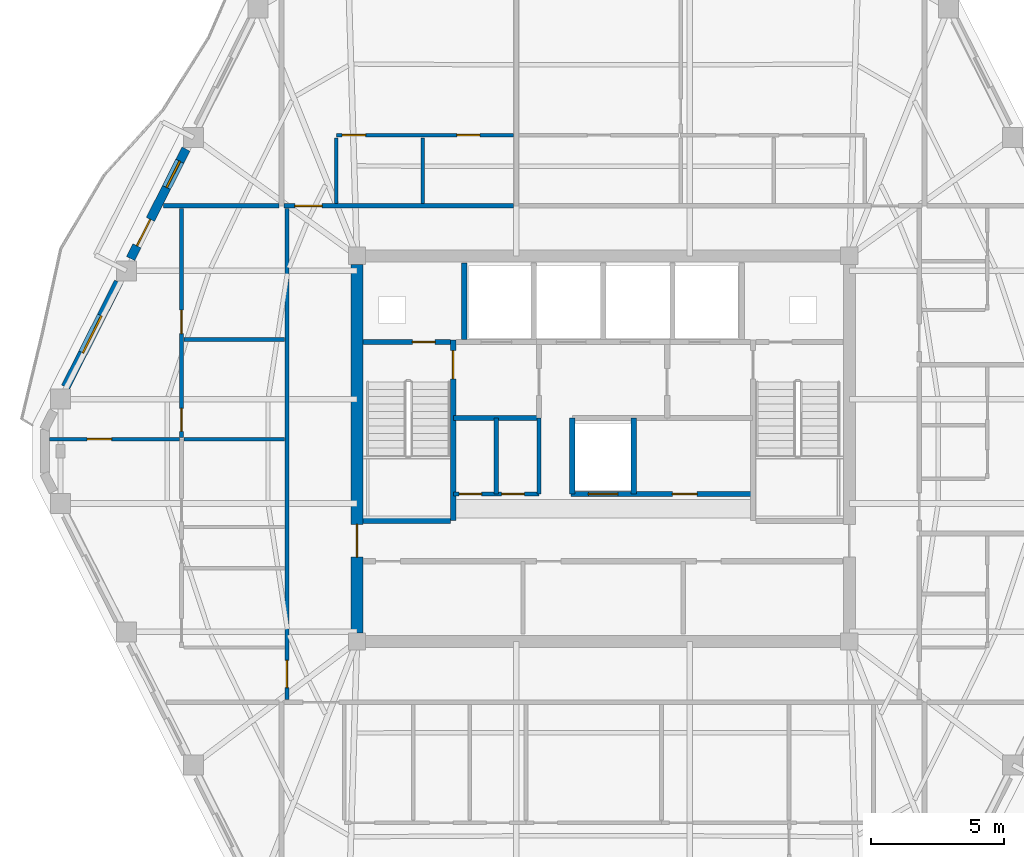
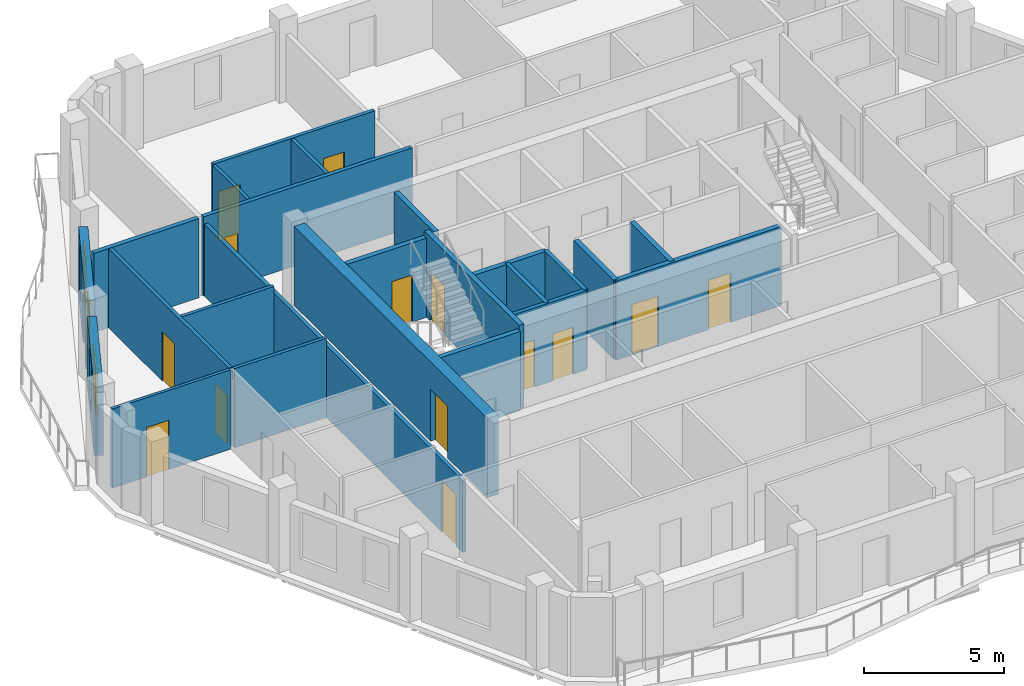
# One storey, part 5 of 11: 24 walls, 15 doors, 2 windows, 17 openings.
"""IFC4 building model written with IfcOpenShell, lengths in metres."""

from ifc_helpers import new_model, si_unit, direction, frame, frame_2d, origin, place, context, subcontext, project, spatial, rectangle, extrude, material, layer, layer_set, type_object, element, fill, save


model = new_model("IFC4")

# Units and contexts
model_context = context("Model", 3, precision=1e-05, world=origin(), true_north=direction((0.0, 1.0)))
body_context = subcontext(model_context, "Body", "Model", "MODEL_VIEW")
ifc_project = project(units=[si_unit("LENGTHUNIT", "METRE"), si_unit("AREAUNIT", "SQUARE_METRE"), si_unit("VOLUMEUNIT", "CUBIC_METRE"), si_unit("PLANEANGLEUNIT", "RADIAN"), si_unit("MASSUNIT", "GRAM", prefix="KILO")], contexts=[model_context])

# Site, building, storey
site_placement = place(None, origin())
site = spatial("IfcSite", under=ifc_project, at=site_placement, CompositionType="ELEMENT")
building_placement = place(site_placement, origin())
building = spatial("IfcBuilding", under=site, at=building_placement, Name="Cinnabar Lancet Tower", CompositionType="ELEMENT")
storey_placement = place(building_placement, frame((0.0, 0.0, 252.550048828125)))
storey = spatial("IfcBuildingStorey", under=building, at=storey_placement, Name="L67", CompositionType="ELEMENT", Elevation=252.550048828125)

# Wall, openings, doors
ifc_material_1 = material(Name="Acoustic twin-stud gypsum partition", Category="gypsum")
ifc_layer_1 = layer(ifc_material_1, 0.159912109375)
ifc_layer_set_1 = layer_set([ifc_layer_1], Name="Acoustic twin-stud gypsum partition")
wall_type_1 = type_object("IfcWallType", Name="ARC-WL-CORR-160", PredefinedType="PARTITIONING", material=ifc_layer_set_1)
wall_1_placement = place(storey_placement, frame((26.800048828125, 24.199951171875, 0.0), z_axis=(0.0, 0.0, 1.0), x_axis=(1.0, 0.0, 0.0)))
wall_1 = element("IfcWall", 1, at=wall_1_placement, inside=storey, type_object=wall_type_1, Name="CW-REC5S-L67", PredefinedType="PARTITIONING", context=body_context, shape_type="SweptSolid", body=[
    extrude(rectangle(XDim=3.199951171875, YDim=0.159912109375, at=frame_2d((1.60009765625, 0.0))), origin(), (0.0, 0.0, 1.0), 3.449951171875),
])
opening_1_placement = place(wall_1_placement, frame((0.199951171875, 0.0, 0.0)))
opening_1 = element("IfcOpeningElement", 2, at=opening_1_placement, cuts=wall_1, Name="Opening PD-02", PredefinedType="OPENING", context=body_context, shape_type="SweptSolid", body=[
    extrude(rectangle(XDim=0.85009765625, YDim=2.050048828125, at=frame_2d((0.425048828125, 1.02490234375))), frame((0.0, 0.08984375, 0.0), z_axis=(0.0, -1.0, 0.0), x_axis=(1.0, 0.0, 0.0)), (0.0, 0.0, 1.0), 0.179931640625),
])
opening_2_placement = place(wall_1_placement, frame((1.800048828125, 0.0, 0.0)))
opening_2 = element("IfcOpeningElement", 3, at=opening_2_placement, cuts=wall_1, Name="Opening PD-02", PredefinedType="OPENING", context=body_context, shape_type="SweptSolid", body=[
    extrude(rectangle(XDim=0.85009765625, YDim=2.050048828125, at=frame_2d((0.425048828125, 1.02490234375))), frame((0.0, 0.08984375, 0.0), z_axis=(0.0, -1.0, 0.0), x_axis=(1.0, 0.0, 0.0)), (0.0, 0.0, 1.0), 0.179931640625),
])
ifc_material_2 = material(Name="Fire-rated steel riser access door", Category="steel")
door_type_1 = type_object("IfcDoorType", Name="ARC-DR-RISER", OperationType="NOTDEFINED", PredefinedType="DOOR", material=ifc_material_2)
door_1_placement = place(opening_1_placement, origin())
door_1 = element("IfcDoor", 4, at=door_1_placement, inside=storey, type_object=door_type_1, Name="DR-L67-REC5A", OperationType="SINGLE_SWING_LEFT", OverallHeight=2.050048828125, OverallWidth=0.85009765625, PredefinedType="DOOR", context=body_context, shape_type="SweptSolid", body=[
    extrude(rectangle(XDim=0.85009765625, YDim=2.050048828125, at=frame_2d((0.425048828125, 1.02490234375))), frame((0.0, 0.02490234375, 0.0), z_axis=(0.0, -1.0, 0.0), x_axis=(1.0, 0.0, 0.0)), (0.0, 0.0, 1.0), 0.050048828125),
])
fill(opening_1, door_1)
door_2_placement = place(opening_2_placement, origin())
door_2 = element("IfcDoor", 5, at=door_2_placement, inside=storey, type_object=door_type_1, Name="DR-L67-REC5B", OperationType="SINGLE_SWING_RIGHT", OverallHeight=2.050048828125, OverallWidth=0.85009765625, PredefinedType="DOOR", context=body_context, shape_type="SweptSolid", body=[
    extrude(rectangle(XDim=0.85009765625, YDim=2.050048828125, at=frame_2d((0.425048828125, 1.02490234375))), frame((0.0, 0.02490234375, 0.0), z_axis=(0.0, -1.0, 0.0), x_axis=(1.0, 0.0, 0.0)), (0.0, 0.0, 1.0), 0.050048828125),
])
fill(opening_2, door_2)

# Walls
for number, where, z_axis, x_axis, name in (
    (6, (30.0, 24.199951171875, 0.0), (0.0, 0.0, 1.0), (0.0, 1.0, 0.0), "CW-REC5E-L67"),
    (7, (28.39990234375, 24.199951171875, 0.0), (0.0, 0.0, 1.0), (0.0, 1.0, 0.0), "CW-REC5D-L67"),
):
    element("IfcWall", number, at=place(storey_placement, frame(where, z_axis=z_axis, x_axis=x_axis)), inside=storey, type_object=wall_type_1, Name=name, PredefinedType="PARTITIONING", context=body_context, shape_type="SweptSolid", body=[
        extrude(rectangle(XDim=2.85009765625, YDim=0.159912109375, at=frame_2d((1.425048828125, 0.0))), origin(), (0.0, 0.0, 1.0), 3.449951171875),
    ])

# Wall, opening, door
wall_2_placement = place(storey_placement, frame((20.445068359375, 35.0, 0.0), z_axis=(0.0, 0.0, 1.0), x_axis=(1.0, 0.0, 0.0)))
wall_2 = element("IfcWall", 8, at=wall_2_placement, inside=storey, type_object=wall_type_1, Name="L67 Unit N01 Corridor Wall", PredefinedType="PARTITIONING", context=body_context, shape_type="SweptSolid", body=[
    extrude(rectangle(XDim=8.60595703125, YDim=0.159912109375, at=frame_2d((4.302978515625, 0.0))), origin(), (0.0, 0.0, 1.0), 3.449951171875),
])
opening_3_placement = place(wall_2_placement, frame((0.405029296875, 0.0, 0.0)))
opening_3 = element("IfcOpeningElement", 9, at=opening_3_placement, cuts=wall_2, Name="Opening UD-01", PredefinedType="OPENING", context=body_context, shape_type="SweptSolid", body=[
    extrude(rectangle(XDim=1.02001953125, YDim=2.25, at=frame_2d((0.510009765625, 1.125))), frame((0.0, 0.08984375, 0.0), z_axis=(0.0, -1.0, 0.0), x_axis=(1.0, 0.0, 0.0)), (0.0, 0.0, 1.0), 0.179931640625),
])
ifc_material_3 = material(Name="Solid timber fire-rated apartment entrance door", Category="wood")
door_type_2 = type_object("IfcDoorType", Name="ARC-DR-UNIT", OperationType="NOTDEFINED", PredefinedType="DOOR", material=ifc_material_3)
door_3_placement = place(opening_3_placement, origin())
door_3 = element("IfcDoor", 10, at=door_3_placement, inside=storey, type_object=door_type_2, Name="DR-L67-N01-ENT", OperationType="SINGLE_SWING_RIGHT", OverallHeight=2.25, OverallWidth=1.02001953125, PredefinedType="DOOR", context=body_context, shape_type="SweptSolid", body=[
    extrude(rectangle(XDim=1.02001953125, YDim=2.25, at=frame_2d((0.510009765625, 1.125))), frame((0.0, 0.02490234375, 0.0), z_axis=(0.0, -1.0, 0.0), x_axis=(1.0, 0.0, 0.0)), (0.0, 0.0, 1.0), 0.050048828125),
])
fill(opening_3, door_3)

wall_3_placement = place(storey_placement, frame((20.550048828125, 16.4951171875, 0.0), z_axis=(0.0, 0.0, 1.0), x_axis=(0.0, 1.0, 0.0)))
wall_3 = element("IfcWall", 11, at=wall_3_placement, inside=storey, type_object=wall_type_1, Name="UW-L67-W01-COR", PredefinedType="PARTITIONING", context=body_context, shape_type="SweptSolid", body=[
    extrude(rectangle(XDim=18.409912109375, YDim=0.159912109375, at=frame_2d((9.205078125, 0.0))), origin(), (0.0, 0.0, 1.0), 3.136962890625),
])
opening_4_placement = place(wall_3_placement, frame((0.449951171875, 0.0, 0.0)))
opening_4 = element("IfcOpeningElement", 12, at=opening_4_placement, cuts=wall_3, Name="Opening UD-01", PredefinedType="OPENING", context=body_context, shape_type="SweptSolid", body=[
    extrude(rectangle(XDim=1.02001953125, YDim=2.25, at=frame_2d((0.510009765625, 1.125))), frame((0.0, 0.08984375, 0.0), z_axis=(0.0, -1.0, 0.0), x_axis=(1.0, 0.0, 0.0)), (0.0, 0.0, 1.0), 0.179931640625),
])
door_4_placement = place(opening_4_placement, origin())
door_4 = element("IfcDoor", 13, at=door_4_placement, inside=storey, type_object=door_type_2, Name="DR-L67-W01-ENT", OperationType="SINGLE_SWING_LEFT", OverallHeight=2.25, OverallWidth=1.02001953125, PredefinedType="DOOR", context=body_context, shape_type="SweptSolid", body=[
    extrude(rectangle(XDim=1.02001953125, YDim=2.25, at=frame_2d((0.510009765625, 1.125))), frame((0.0, 0.02490234375, 0.0), z_axis=(0.0, -1.0, 0.0), x_axis=(1.0, 0.0, 0.0)), (0.0, 0.0, 1.0), 0.050048828125),
])
fill(opening_4, door_4)

# Walls
ifc_material_4 = material(Name="Fire-rated twin-frame acoustic drywall", Category="gypsum")
ifc_layer_2 = layer(ifc_material_4, 0.179931640625)
ifc_layer_set_2 = layer_set([ifc_layer_2], Name="Fire-rated twin-frame acoustic drywall")
wall_type_2 = type_object("IfcWallType", Name="ARC-WL-PARTY-180", PredefinedType="PARTITIONING", material=ifc_layer_set_2)
wall_4_placement = place(storey_placement, frame((15.93310546875, 35.0, 0.0), z_axis=(0.0, 0.0, 1.0), x_axis=(1.0, 0.0, 0.0)))
element("IfcWall", 14, at=wall_4_placement, inside=storey, type_object=wall_type_2, Name="PW-L67-WNB", PredefinedType="PARTITIONING", context=body_context, shape_type="SweptSolid", body=[
    extrude(rectangle(XDim=4.32177734375, YDim=0.179931640625, at=frame_2d((2.160888671875, 0.0))), origin(), (0.0, 0.0, 1.0), 3.449951171875),
])
ifc_material_5 = material(Name="Autoclaved aerated concrete blockwork", Category="masonry")
ifc_layer_3 = layer(ifc_material_5, 0.199951171875)
ifc_layer_set_3 = layer_set([ifc_layer_3], Name="Autoclaved aerated concrete blockwork")
wall_type_3 = type_object("IfcWallType", Name="ARC-WL-SHAFT-200", PredefinedType="PLUMBINGWALL", material=ifc_layer_set_3)
wall_5_placement = place(storey_placement, frame((23.405029296875, 23.199951171875, 0.0), z_axis=(0.0, 0.0, 1.0), x_axis=(1.0, 0.0, 0.0)))
element("IfcWall", 15, at=wall_5_placement, inside=storey, type_object=wall_type_3, Name="CW-ST1S-L67", PredefinedType="PLUMBINGWALL", context=body_context, shape_type="SweptSolid", body=[
    extrude(rectangle(XDim=3.27001953125, YDim=0.199951171875, at=frame_2d((1.635009765625, 0.0))), origin(), (0.0, 0.0, 1.0), 3.449951171875),
])

# Wall, opening, door
wall_6_placement = place(storey_placement, frame((23.405029296875, 29.89990234375, 0.0), z_axis=(0.0, 0.0, 1.0), x_axis=(1.0, 0.0, 0.0)))
wall_6 = element("IfcWall", 16, at=wall_6_placement, inside=storey, type_object=wall_type_3, Name="CW-NSH-W-L67", PredefinedType="PLUMBINGWALL", context=body_context, shape_type="SweptSolid", body=[
    extrude(rectangle(XDim=3.27001953125, YDim=0.199951171875, at=frame_2d((1.635009765625, 0.0))), origin(), (0.0, 0.0, 1.0), 3.449951171875),
])
opening_5_placement = place(wall_6_placement, frame((1.85009765625, 0.0, 0.0)))
opening_5 = element("IfcOpeningElement", 17, at=opening_5_placement, cuts=wall_6, Name="Opening PD-02", PredefinedType="OPENING", context=body_context, shape_type="SweptSolid", body=[
    extrude(rectangle(XDim=0.85009765625, YDim=2.050048828125, at=frame_2d((0.425048828125, 1.02490234375))), frame((0.0, 0.10986328125, 0.0), z_axis=(0.0, -1.0, 0.0), x_axis=(1.0, 0.0, 0.0)), (0.0, 0.0, 1.0), 0.219970703125),
])
door_5_placement = place(opening_5_placement, origin())
door_5 = element("IfcDoor", 18, at=door_5_placement, inside=storey, type_object=door_type_1, Name="L67 West Riser Access Door", OperationType="SINGLE_SWING_LEFT", OverallHeight=2.050048828125, OverallWidth=0.85009765625, PredefinedType="DOOR", context=body_context, shape_type="SweptSolid", body=[
    extrude(rectangle(XDim=0.85009765625, YDim=2.050048828125, at=frame_2d((0.425048828125, 1.02490234375))), frame((0.0, 0.02490234375, 0.0), z_axis=(0.0, -1.0, 0.0), x_axis=(1.0, 0.0, 0.0)), (0.0, 0.0, 1.0), 0.050048828125),
])
fill(opening_5, door_5)

# Walls
wall_7_placement = place(storey_placement, frame((27.199951171875, 30.0, 0.0), z_axis=(0.0, 0.0, 1.0), x_axis=(0.0, 1.0, 0.0)))
element("IfcWall", 19, at=wall_7_placement, inside=storey, type_object=wall_type_3, Name="CW-NSH-D1-L67", PredefinedType="PLUMBINGWALL", context=body_context, shape_type="SweptSolid", body=[
    extrude(rectangle(XDim=2.85009765625, YDim=0.199951171875, at=frame_2d((1.425048828125, 0.0))), origin(), (0.0, 0.0, 1.0), 3.449951171875),
])
wall_8_placement = place(storey_placement, frame((26.800048828125, 27.050048828125, 0.0), z_axis=(0.0, 0.0, 1.0), x_axis=(1.0, 0.0, 0.0)))
element("IfcWall", 20, at=wall_8_placement, inside=storey, type_object=wall_type_3, Name="CW-FF1S-L67", PredefinedType="PLUMBINGWALL", context=body_context, shape_type="SweptSolid", body=[
    extrude(rectangle(XDim=3.199951171875, YDim=0.199951171875, at=frame_2d((1.60009765625, 0.0))), origin(), (0.0, 0.0, 1.0), 3.449951171875),
])

# Wall, openings, doors
wall_9_placement = place(storey_placement, frame((31.199951171875, 24.199951171875, 0.0), z_axis=(0.0, 0.0, 1.0), x_axis=(1.0, 0.0, 0.0)))
wall_9 = element("IfcWall", 21, at=wall_9_placement, inside=storey, type_object=wall_type_3, Name="CW-PL96S-L67", PredefinedType="PLUMBINGWALL", context=body_context, shape_type="SweptSolid", body=[
    extrude(rectangle(XDim=6.800048828125, YDim=0.199951171875, at=frame_2d((3.39990234375, 0.0))), origin(), (0.0, 0.0, 1.0), 3.449951171875),
])
opening_6_placement = place(wall_9_placement, frame((0.64990234375, 0.0, 0.0)))
opening_6 = element("IfcOpeningElement", 22, at=opening_6_placement, cuts=wall_9, Name="Opening LD-01", PredefinedType="OPENING", context=body_context, shape_type="SweptSolid", body=[
    extrude(rectangle(XDim=1.10009765625, YDim=2.199951171875, at=frame_2d((0.550048828125, 1.10009765625))), frame((0.0, 0.10986328125, 0.0), z_axis=(0.0, -1.0, 0.0), x_axis=(1.0, 0.0, 0.0)), (0.0, 0.0, 1.0), 0.219970703125),
])
opening_7_placement = place(wall_9_placement, frame((3.800048828125, 0.0, 0.0)))
opening_7 = element("IfcOpeningElement", 23, at=opening_7_placement, cuts=wall_9, Name="Opening RD-01", PredefinedType="OPENING", context=body_context, shape_type="SweptSolid", body=[
    extrude(rectangle(XDim=0.919921875, YDim=2.14990234375, at=frame_2d((0.4599609375, 1.074951171875))), frame((0.0, 0.10986328125, 0.0), z_axis=(0.0, -1.0, 0.0), x_axis=(1.0, 0.0, 0.0)), (0.0, 0.0, 1.0), 0.219970703125),
])
ifc_material_6 = material(Name="Brushed stainless steel sliding lift door", Category="steel")
door_type_3 = type_object("IfcDoorType", Name="ARC-DR-LD-PASS", OperationType="NOTDEFINED", PredefinedType="DOOR", material=ifc_material_6)
door_6_placement = place(opening_6_placement, origin())
door_6 = element("IfcDoor", 24, at=door_6_placement, inside=storey, type_object=door_type_3, Name="L67 Lift PL-9 Landing Door", OperationType="DOUBLE_DOOR_SLIDING", OverallHeight=2.199951171875, OverallWidth=1.10009765625, PredefinedType="DOOR", context=body_context, shape_type="SweptSolid", body=[
    extrude(rectangle(XDim=1.10009765625, YDim=2.199951171875, at=frame_2d((0.550048828125, 1.10009765625))), frame((0.0, 0.02490234375, 0.0), z_axis=(0.0, -1.0, 0.0), x_axis=(1.0, 0.0, 0.0)), (0.0, 0.0, 1.0), 0.050048828125),
])
fill(opening_6, door_6)
ifc_material_7 = material(Name="Engineered timber bedroom door", Category="wood")
door_type_4 = type_object("IfcDoorType", Name="ARC-DR-ROOM", OperationType="NOTDEFINED", PredefinedType="DOOR", material=ifc_material_7)
door_7_placement = place(opening_7_placement, origin())
door_7 = element("IfcDoor", 25, at=door_7_placement, inside=storey, type_object=door_type_4, Name="DR-L67-REC6", OperationType="SINGLE_SWING_RIGHT", OverallHeight=2.14990234375, OverallWidth=0.919921875, PredefinedType="DOOR", context=body_context, shape_type="SweptSolid", body=[
    extrude(rectangle(XDim=0.919921875, YDim=2.14990234375, at=frame_2d((0.4599609375, 1.074951171875))), frame((0.0, 0.02490234375, 0.0), z_axis=(0.0, -1.0, 0.0), x_axis=(1.0, 0.0, 0.0)), (0.0, 0.0, 1.0), 0.050048828125),
])
fill(opening_7, door_7)

# Walls
for number, where, z_axis, x_axis, name in (
    (26, (31.25, 24.199951171875, 0.0), (0.0, 0.0, 1.0), (0.0, 1.0, 0.0), "CW-PL9W-L67"),
    (27, (33.550048828125, 24.199951171875, 0.0), (0.0, 0.0, 1.0), (0.0, 1.0, 0.0), "CW-PL9E-L67"),
):
    element("IfcWall", number, at=place(storey_placement, frame(where, z_axis=z_axis, x_axis=x_axis)), inside=storey, type_object=wall_type_3, Name=name, PredefinedType="PLUMBINGWALL", context=body_context, shape_type="SweptSolid", body=[
        extrude(rectangle(XDim=2.85009765625, YDim=0.199951171875, at=frame_2d((1.425048828125, 0.0))), origin(), (0.0, 0.0, 1.0), 3.449951171875),
    ])
ifc_material_8 = material(Name="Gypsum plasterboard stud partition", Category="gypsum")
ifc_layer_4 = layer(ifc_material_8, 0.125)
ifc_layer_set_4 = layer_set([ifc_layer_4], Name="Gypsum plasterboard stud partition")
wall_type_4 = type_object("IfcWallType", Name="ARC-WL-UNIT-125", PredefinedType="PARTITIONING", material=ifc_layer_set_4)
wall_10_placement = place(storey_placement, frame((22.39990234375, 35.0849609375, 0.0), z_axis=(0.0, 0.0, 1.0), x_axis=(0.0, 1.0, 0.0)))
element("IfcWall", 28, at=wall_10_placement, inside=storey, type_object=wall_type_4, Name="UW-L67-N01-FOYE", PredefinedType="PARTITIONING", context=body_context, shape_type="SweptSolid", body=[
    extrude(rectangle(XDim=2.4599609375, YDim=0.125, at=frame_2d((1.22998046875, 0.0))), origin(), (0.0, 0.0, 1.0), 3.449951171875),
])

# Wall, opening, door
wall_11_placement = place(storey_placement, frame((11.659912109375, 26.258056640625, 0.0), z_axis=(0.0, 0.0, 1.0), x_axis=(1.0, 0.0, 0.0)))
wall_11 = element("IfcWall", 29, at=wall_11_placement, inside=storey, type_object=wall_type_4, Name="UW-L67-W01-MBN", PredefinedType="PARTITIONING", context=body_context, shape_type="SweptSolid", body=[
    extrude(rectangle(XDim=4.864990234375, YDim=0.125, at=frame_2d((2.4326171875, 0.0))), origin(), (0.0, 0.0, 1.0), 3.449951171875),
])
opening_8_placement = place(wall_11_placement, frame((1.39990234375, 0.0, 0.0)))
opening_8 = element("IfcOpeningElement", 30, at=opening_8_placement, cuts=wall_11, Name="Opening RD-01", PredefinedType="OPENING", context=body_context, shape_type="SweptSolid", body=[
    extrude(rectangle(XDim=0.919921875, YDim=2.14990234375, at=frame_2d((0.4599609375, 1.074951171875))), frame((0.0, 0.072509765625, 0.0), z_axis=(0.0, -1.0, 0.0), x_axis=(1.0, 0.0, 0.0)), (0.0, 0.0, 1.0), 0.14501953125),
])
door_8_placement = place(opening_8_placement, origin())
door_8 = element("IfcDoor", 31, at=door_8_placement, inside=storey, type_object=door_type_4, Name="DR-L67-W01-MBD", OperationType="SINGLE_SWING_LEFT", OverallHeight=2.14990234375, OverallWidth=0.919921875, PredefinedType="DOOR", context=body_context, shape_type="SweptSolid", body=[
    extrude(rectangle(XDim=0.919921875, YDim=2.14990234375, at=frame_2d((0.4599609375, 1.074951171875))), frame((0.0, 0.02490234375, 0.0), z_axis=(0.0, -1.0, 0.0), x_axis=(1.0, 0.0, 0.0)), (0.0, 0.0, 1.0), 0.050048828125),
])
fill(opening_8, door_8)

# Wall, openings, doors
ifc_material_9 = material(Name="Moisture-resistant cement-board plumbing wall", Category="masonry")
ifc_layer_5 = layer(ifc_material_9, 0.139892578125)
ifc_layer_set_5 = layer_set([ifc_layer_5], Name="Moisture-resistant cement-board plumbing wall")
wall_type_5 = type_object("IfcWallType", Name="ARC-WL-WET-140", PredefinedType="PLUMBINGWALL", material=ifc_layer_set_5)
wall_12_placement = place(storey_placement, frame((22.39990234375, 37.64990234375, 0.0), z_axis=(0.0, 0.0, 1.0), x_axis=(1.0, 0.0, 0.0)))
wall_12 = element("IfcWall", 32, at=wall_12_placement, inside=storey, type_object=wall_type_5, Name="UW-L67-N01-SPL", PredefinedType="PLUMBINGWALL", context=body_context, shape_type="SweptSolid", body=[
    extrude(rectangle(XDim=6.651123046875, YDim=0.139892578125, at=frame_2d((3.32568359375, 0.0))), origin(), (0.0, 0.0, 1.0), 3.449951171875),
])
opening_9_placement = place(wall_12_placement, frame((4.52001953125, 0.0, 0.0)))
opening_9 = element("IfcOpeningElement", 33, at=opening_9_placement, cuts=wall_12, Name="Opening BD-01", PredefinedType="OPENING", context=body_context, shape_type="SweptSolid", body=[
    extrude(rectangle(XDim=0.860107421875, YDim=2.10009765625, at=frame_2d((0.43017578125, 1.050048828125))), frame((0.0, 0.079833984375, 0.0), z_axis=(0.0, -1.0, 0.0), x_axis=(1.0, 0.0, 0.0)), (0.0, 0.0, 1.0), 0.159912109375),
])
opening_10_placement = place(wall_12_placement, frame((0.219970703125, 0.0, 0.0)))
opening_10 = element("IfcOpeningElement", 34, at=opening_10_placement, cuts=wall_12, Name="Opening RD-02", PredefinedType="OPENING", context=body_context, shape_type="SweptSolid", body=[
    extrude(rectangle(XDim=0.8798828125, YDim=2.14990234375, at=frame_2d((0.43994140625, 1.074951171875))), frame((0.0, 0.079833984375, 0.0), z_axis=(0.0, -1.0, 0.0), x_axis=(1.0, 0.0, 0.0)), (0.0, 0.0, 1.0), 0.159912109375),
])
ifc_material_10 = material(Name="Moisture-resistant timber bathroom door", Category="wood")
door_type_5 = type_object("IfcDoorType", Name="ARC-DR-BATH", OperationType="NOTDEFINED", PredefinedType="DOOR", material=ifc_material_10)
door_9_placement = place(opening_9_placement, origin())
door_9 = element("IfcDoor", 35, at=door_9_placement, inside=storey, type_object=door_type_5, Name="DR-L67-N01-BTH", OperationType="SINGLE_SWING_RIGHT", OverallHeight=2.10009765625, OverallWidth=0.860107421875, PredefinedType="DOOR", context=body_context, shape_type="SweptSolid", body=[
    extrude(rectangle(XDim=0.860107421875, YDim=2.10009765625, at=frame_2d((0.43017578125, 1.050048828125))), frame((0.0, 0.02490234375, 0.0), z_axis=(0.0, -1.0, 0.0), x_axis=(1.0, 0.0, 0.0)), (0.0, 0.0, 1.0), 0.050048828125),
])
fill(opening_9, door_9)
ifc_material_11 = material(Name="Engineered timber study door", Category="wood")
door_type_6 = type_object("IfcDoorType", Name="ARC-DR-STUDY", OperationType="NOTDEFINED", PredefinedType="DOOR", material=ifc_material_11)
door_10_placement = place(opening_10_placement, origin())
door_10 = element("IfcDoor", 36, at=door_10_placement, inside=storey, type_object=door_type_6, Name="DR-L67-N01-KIT", OperationType="SINGLE_SWING_LEFT", OverallHeight=2.14990234375, OverallWidth=0.8798828125, PredefinedType="DOOR", context=body_context, shape_type="SweptSolid", body=[
    extrude(rectangle(XDim=0.8798828125, YDim=2.14990234375, at=frame_2d((0.43994140625, 1.074951171875))), frame((0.0, 0.02490234375, 0.0), z_axis=(0.0, -1.0, 0.0), x_axis=(1.0, 0.0, 0.0)), (0.0, 0.0, 1.0), 0.050048828125),
])
fill(opening_10, door_10)

# Wall
wall_13_placement = place(storey_placement, frame((25.637939453125, 35.0849609375, 0.0), z_axis=(0.0, 0.0, 1.0), x_axis=(0.0, 1.0, 0.0)))
element("IfcWall", 37, at=wall_13_placement, inside=storey, type_object=wall_type_5, Name="UW-L67-N01-KDV", PredefinedType="PLUMBINGWALL", context=body_context, shape_type="SweptSolid", body=[
    extrude(rectangle(XDim=2.4599609375, YDim=0.139892578125, at=frame_2d((1.22998046875, 0.0))), origin(), (0.0, 0.0, 1.0), 3.449951171875),
])

# Wall, openings, doors
wall_14_placement = place(storey_placement, frame((16.60009765625, 26.327880859375, 0.0), z_axis=(0.0, 0.0, 1.0), x_axis=(0.0, 1.0, 0.0)))
wall_14 = element("IfcWall", 38, at=wall_14_placement, inside=storey, type_object=wall_type_5, Name="UW-L67-W01-SPM", PredefinedType="PLUMBINGWALL", context=body_context, shape_type="SweptSolid", body=[
    extrude(rectangle(XDim=8.5771484375, YDim=0.139892578125, at=frame_2d((4.28857421875, 0.0))), origin(), (0.0, 0.0, 1.0), 3.449951171875),
])
opening_11_placement = place(wall_14_placement, frame((0.219970703125, 0.0, 0.0)))
opening_11 = element("IfcOpeningElement", 39, at=opening_11_placement, cuts=wall_14, Name="Opening BD-01", PredefinedType="OPENING", context=body_context, shape_type="SweptSolid", body=[
    extrude(rectangle(XDim=0.860107421875, YDim=2.10009765625, at=frame_2d((0.43017578125, 1.050048828125))), frame((0.0, 0.079833984375, 0.0), z_axis=(0.0, -1.0, 0.0), x_axis=(1.0, 0.0, 0.0)), (0.0, 0.0, 1.0), 0.159912109375),
])
opening_12_placement = place(wall_14_placement, frame((3.8798828125, 0.0, 0.0)))
opening_12 = element("IfcOpeningElement", 40, at=opening_12_placement, cuts=wall_14, Name="Opening RD-02", PredefinedType="OPENING", context=body_context, shape_type="SweptSolid", body=[
    extrude(rectangle(XDim=0.8798828125, YDim=2.14990234375, at=frame_2d((0.43994140625, 1.074951171875))), frame((0.0, 0.079833984375, 0.0), z_axis=(0.0, -1.0, 0.0), x_axis=(1.0, 0.0, 0.0)), (0.0, 0.0, 1.0), 0.159912109375),
])
door_11_placement = place(opening_11_placement, origin())
door_11 = element("IfcDoor", 41, at=door_11_placement, inside=storey, type_object=door_type_5, Name="DR-L67-W01-ENS", OperationType="SINGLE_SWING_LEFT", OverallHeight=2.10009765625, OverallWidth=0.860107421875, PredefinedType="DOOR", context=body_context, shape_type="SweptSolid", body=[
    extrude(rectangle(XDim=0.860107421875, YDim=2.10009765625, at=frame_2d((0.43017578125, 1.050048828125))), frame((0.0, 0.02490234375, 0.0), z_axis=(0.0, -1.0, 0.0), x_axis=(1.0, 0.0, 0.0)), (0.0, 0.0, 1.0), 0.050048828125),
])
fill(opening_11, door_11)
door_12_placement = place(opening_12_placement, origin())
door_12 = element("IfcDoor", 42, at=door_12_placement, inside=storey, type_object=door_type_6, Name="DR-L67-W01-EWDR", OperationType="SINGLE_SWING_RIGHT", OverallHeight=2.14990234375, OverallWidth=0.8798828125, PredefinedType="DOOR", context=body_context, shape_type="SweptSolid", body=[
    extrude(rectangle(XDim=0.8798828125, YDim=2.14990234375, at=frame_2d((0.43994140625, 1.074951171875))), frame((0.0, 0.02490234375, 0.0), z_axis=(0.0, -1.0, 0.0), x_axis=(1.0, 0.0, 0.0)), (0.0, 0.0, 1.0), 0.050048828125),
])
fill(opening_12, door_12)

# Walls
for number, where, z_axis, x_axis, name in (
    (43, (16.68505859375, 26.258056640625, 0.0), (0.0, 0.0, 1.0), (1.0, 0.0, 0.0), "UW-L67-W01-ENSN"),
    (44, (16.68505859375, 29.988037109375, 0.0), (0.0, 0.0, 1.0), (1.0, 0.0, 0.0), "UW-L67-W01-EWDV"),
):
    element("IfcWall", number, at=place(storey_placement, frame(where, z_axis=z_axis, x_axis=x_axis)), inside=storey, type_object=wall_type_5, Name=name, PredefinedType="PLUMBINGWALL", context=body_context, shape_type="SweptSolid", body=[
        extrude(rectangle(XDim=3.780029296875, YDim=0.139892578125, at=frame_2d((1.89013671875, 0.0))), origin(), (0.0, 0.0, 1.0), 3.449951171875),
    ])

# Wall, openings, door, window
ifc_material_12 = material(Name="Cinnabar red clay brick", Category="masonry")
ifc_layer_6 = layer(ifc_material_12, 0.340087890625)
ifc_layer_set_6 = layer_set([ifc_layer_6], Name="Cinnabar red clay brick")
wall_type_6 = type_object("IfcWallType", Name="ENV-WL-BRK-RED-340", PredefinedType="STANDARD", material=ifc_layer_set_6)
wall_15_placement = place(storey_placement, frame((16.76806640625, 37.126953125, 0.0), z_axis=(0.0, 0.0, 1.0), x_axis=(-0.451581819983, -0.892229712496, 0.0)))
wall_15 = element("IfcWall", 45, at=wall_15_placement, inside=storey, type_object=wall_type_6, Name="L67 Face 5 Masonry Bay Wall 3", PredefinedType="STANDARD", context=body_context, shape_type="SweptSolid", body=[
    extrude(rectangle(XDim=4.599609375, YDim=0.340087890625, at=frame_2d((2.2998046875, 0.0))), origin(), (0.0, 0.0, 1.0), 2.98291015625),
])
opening_13_placement = place(wall_15_placement, frame((2.9580078125, 0.0, 0.0)))
opening_13 = element("IfcOpeningElement", 46, at=opening_13_placement, cuts=wall_15, Name="Opening TD-01", PredefinedType="OPENING", context=body_context, shape_type="SweptSolid", body=[
    extrude(rectangle(XDim=1.10009765625, YDim=2.25, at=frame_2d((0.550048828125, 1.125))), frame((0.0, 0.179931640625, 0.0), z_axis=(0.0, -1.0, 0.0), x_axis=(1.0, 0.0, 0.0)), (0.0, 0.0, 1.0), 0.360107421875),
])
opening_14_placement = place(wall_15_placement, frame((0.511962890625, 0.0, 0.75)))
opening_14 = element("IfcOpeningElement", 47, at=opening_14_placement, cuts=wall_15, Name="Opening WN-04", PredefinedType="OPENING", context=body_context, shape_type="SweptSolid", body=[
    extrude(rectangle(XDim=1.10009765625, YDim=2.0, at=frame_2d((0.550048828125, 1.0))), frame((0.0, 0.179931640625, 0.0), z_axis=(0.0, -1.0, 0.0), x_axis=(1.0, 0.0, 0.0)), (0.0, 0.0, 1.0), 0.360107421875),
])
ifc_material_13 = material(Name="Thermally broken low-E glazed balcony terrace door", Category="wood")
door_type_7 = type_object("IfcDoorType", Name="ARC-DR-BALC", OperationType="NOTDEFINED", PredefinedType="DOOR", material=ifc_material_13)
door_13_placement = place(opening_13_placement, origin())
door_13 = element("IfcDoor", 48, at=door_13_placement, inside=storey, type_object=door_type_7, Name="L67 Face 5 Glazed Terrace Door", OperationType="SINGLE_SWING_RIGHT", OverallHeight=2.25, OverallWidth=1.10009765625, PredefinedType="DOOR", context=body_context, shape_type="SweptSolid", body=[
    extrude(rectangle(XDim=1.10009765625, YDim=2.25, at=frame_2d((0.550048828125, 1.125))), frame((0.0, 0.02490234375, 0.0), z_axis=(0.0, -1.0, 0.0), x_axis=(1.0, 0.0, 0.0)), (0.0, 0.0, 1.0), 0.050048828125),
])
fill(opening_13, door_13)
ifc_material_14 = material(Name="Thermally broken bronze-anodized aluminium tall lancet window", Category="aluminium")
window_type_1 = type_object("IfcWindowType", Name="ENV-WN-LANCET-1100", PartitioningType="SINGLE_PANEL", PredefinedType="WINDOW", material=ifc_material_14)
window_1_placement = place(opening_14_placement, origin())
window_1 = element("IfcWindow", 49, at=window_1_placement, inside=storey, type_object=window_type_1, Name="L67 Split-Bay Gothic Lancet Window 241", OverallHeight=2.0, OverallWidth=1.10009765625, PartitioningType="SINGLE_PANEL", PredefinedType="WINDOW", context=body_context, shape_type="SweptSolid", body=[
    extrude(rectangle(XDim=1.10009765625, YDim=2.0, at=frame_2d((0.550048828125, 1.0))), frame((0.0, 0.030029296875, 0.0), z_axis=(0.0, -1.0, 0.0), x_axis=(1.0, 0.0, 0.0)), (0.0, 0.0, 1.0), 0.06005859375),
])
fill(opening_14, window_1)

# Wall, opening, window
wall_16_placement = place(storey_placement, frame((14.24609375, 32.14404296875, 0.0), z_axis=(0.0, 0.0, 1.0), x_axis=(-0.451285866323, -0.892379441077, 0.0)))
wall_16 = element("IfcWall", 50, at=wall_16_placement, inside=storey, type_object=wall_type_6, Name="L67 Face 5 Masonry Bay Wall 4", PredefinedType="STANDARD", context=body_context, shape_type="SweptSolid", body=[
    extrude(rectangle(XDim=4.407470703125, YDim=0.340087890625, at=frame_2d((2.20361328125, 0.0))), origin(), (0.0, 0.0, 1.0), 2.98291015625),
])
opening_15_placement = place(wall_16_placement, frame((1.428955078125, 0.0, 0.75)))
opening_15 = element("IfcOpeningElement", 51, at=opening_15_placement, cuts=wall_16, Name="Opening WN-01", PredefinedType="OPENING", context=body_context, shape_type="SweptSolid", body=[
    extrude(rectangle(XDim=1.550048828125, YDim=2.050048828125, at=frame_2d((0.77490234375, 1.02490234375))), frame((0.0, 0.179931640625, 0.0), z_axis=(0.0, -1.0, 0.0), x_axis=(1.0, 0.0, 0.0)), (0.0, 0.0, 1.0), 0.360107421875),
])
ifc_material_15 = material(Name="Thermally broken bronze-anodized aluminium low-E double glazing", Category="aluminium")
window_type_2 = type_object("IfcWindowType", Name="ENV-WN-LANCET-1550", PartitioningType="SINGLE_PANEL", PredefinedType="WINDOW", material=ifc_material_15)
window_2_placement = place(opening_15_placement, origin())
window_2 = element("IfcWindow", 52, at=window_2_placement, inside=storey, type_object=window_type_2, Name="L67 Face 5 Gothic Lancet Window 4", OverallHeight=2.050048828125, OverallWidth=1.550048828125, PartitioningType="SINGLE_PANEL", PredefinedType="WINDOW", context=body_context, shape_type="SweptSolid", body=[
    extrude(rectangle(XDim=1.550048828125, YDim=2.050048828125, at=frame_2d((0.77490234375, 1.02490234375))), frame((0.0, 0.030029296875, 0.0), z_axis=(0.0, -1.0, 0.0), x_axis=(1.0, 0.0, 0.0)), (0.0, 0.0, 1.0), 0.06005859375),
])
fill(opening_15, window_2)

# Wall, opening, door
ifc_material_16 = material(Name="Concrete C50/60", Category="concrete")
ifc_layer_7 = layer(ifc_material_16, 0.449951171875)
ifc_layer_set_7 = layer_set([ifc_layer_7], Name="Concrete C50/60")
wall_type_7 = type_object("IfcWallType", Name="STR-WL-CORE-450", PredefinedType="SHEAR", material=ifc_layer_set_7)
wall_17_placement = place(storey_placement, frame((23.175048828125, 19.0, 0.0), z_axis=(0.0, 0.0, 1.0), x_axis=(0.0, 1.0, 0.0)))
wall_17 = element("IfcWall", 53, at=wall_17_placement, inside=storey, type_object=wall_type_7, Name="L67 Core Shear Wall W", PredefinedType="SHEAR", context=body_context, shape_type="SweptSolid", body=[
    extrude(rectangle(XDim=13.800048828125, YDim=0.449951171875, at=frame_2d((6.89990234375, 0.0))), origin(), (0.0, 0.0, 1.0), 3.449951171875),
])
opening_16_placement = place(wall_17_placement, frame((2.840087890625, 0.0, 0.0)))
opening_16 = element("IfcOpeningElement", 54, at=opening_16_placement, cuts=wall_17, Name="Opening FD-02", PredefinedType="OPENING", context=body_context, shape_type="SweptSolid", body=[
    extrude(rectangle(XDim=1.219970703125, YDim=2.25, at=frame_2d((0.60986328125, 1.125))), frame((0.0, 0.23486328125, 0.0), z_axis=(0.0, -1.0, 0.0), x_axis=(1.0, 0.0, 0.0)), (0.0, 0.0, 1.0), 0.469970703125),
])
ifc_material_17 = material(Name="Fire-rated double-vision core portal door", Category="wood")
door_type_8 = type_object("IfcDoorType", Name="ARC-DR-CPORT", OperationType="NOTDEFINED", PredefinedType="DOOR", material=ifc_material_17)
door_14_placement = place(opening_16_placement, origin())
door_14 = element("IfcDoor", 55, at=door_14_placement, inside=storey, type_object=door_type_8, Name="L67 West Core Lobby Fire Door", OperationType="SINGLE_SWING_RIGHT", OverallHeight=2.25, OverallWidth=1.219970703125, PredefinedType="DOOR", context=body_context, shape_type="SweptSolid", body=[
    extrude(rectangle(XDim=1.219970703125, YDim=2.25, at=frame_2d((0.60986328125, 1.125))), frame((0.0, 0.02490234375, 0.0), z_axis=(0.0, -1.0, 0.0), x_axis=(1.0, 0.0, 0.0)), (0.0, 0.0, 1.0), 0.050048828125),
])
fill(opening_16, door_14)

ifc_material_18 = material(Name="Concrete C50/60", Category="concrete")
ifc_layer_8 = layer(ifc_material_18, 0.199951171875)
ifc_layer_set_8 = layer_set([ifc_layer_8], Name="Concrete C50/60")
wall_type_8 = type_object("IfcWallType", Name="STR-WL-STAIR-200", PredefinedType="SHEAR", material=ifc_layer_set_8)
wall_18_placement = place(storey_placement, frame((26.780029296875, 23.199951171875, 0.0), z_axis=(0.0, 0.0, 1.0), x_axis=(0.0, 1.0, 0.0)))
wall_18 = element("IfcWall", 56, at=wall_18_placement, inside=storey, type_object=wall_type_8, Name="L67 Stair ST-1 Structural Enclosure Wall", PredefinedType="SHEAR", context=body_context, shape_type="SweptSolid", body=[
    extrude(rectangle(XDim=6.780029296875, YDim=0.199951171875, at=frame_2d((3.39013671875, 0.0))), origin(), (0.0, 0.0, 1.0), 3.64990234375),
])
opening_17_placement = place(wall_18_placement, frame((5.320068359375, 0.0, 0.0)))
opening_17 = element("IfcOpeningElement", 57, at=opening_17_placement, cuts=wall_18, Name="Opening SD-01", PredefinedType="OPENING", context=body_context, shape_type="SweptSolid", body=[
    extrude(rectangle(XDim=1.050048828125, YDim=2.14990234375, at=frame_2d((0.52490234375, 1.074951171875))), frame((0.0, 0.10986328125, 0.0), z_axis=(0.0, -1.0, 0.0), x_axis=(1.0, 0.0, 0.0)), (0.0, 0.0, 1.0), 0.219970703125),
])
ifc_material_19 = material(Name="Fire-rated steel stair exit door", Category="steel")
door_type_9 = type_object("IfcDoorType", Name="ARC-DR-STAIR", OperationType="NOTDEFINED", PredefinedType="DOOR", material=ifc_material_19)
door_15_placement = place(opening_17_placement, origin())
door_15 = element("IfcDoor", 58, at=door_15_placement, inside=storey, type_object=door_type_9, Name="L67 Stair ST-1 Fire Door", OperationType="SINGLE_SWING_LEFT", OverallHeight=2.14990234375, OverallWidth=1.050048828125, PredefinedType="DOOR", context=body_context, shape_type="SweptSolid", body=[
    extrude(rectangle(XDim=1.050048828125, YDim=2.14990234375, at=frame_2d((0.52490234375, 1.074951171875))), frame((0.0, 0.02490234375, 0.0), z_axis=(0.0, -1.0, 0.0), x_axis=(1.0, 0.0, 0.0)), (0.0, 0.0, 1.0), 0.050048828125),
])
fill(opening_17, door_15)

save(model, "model.ifc")
